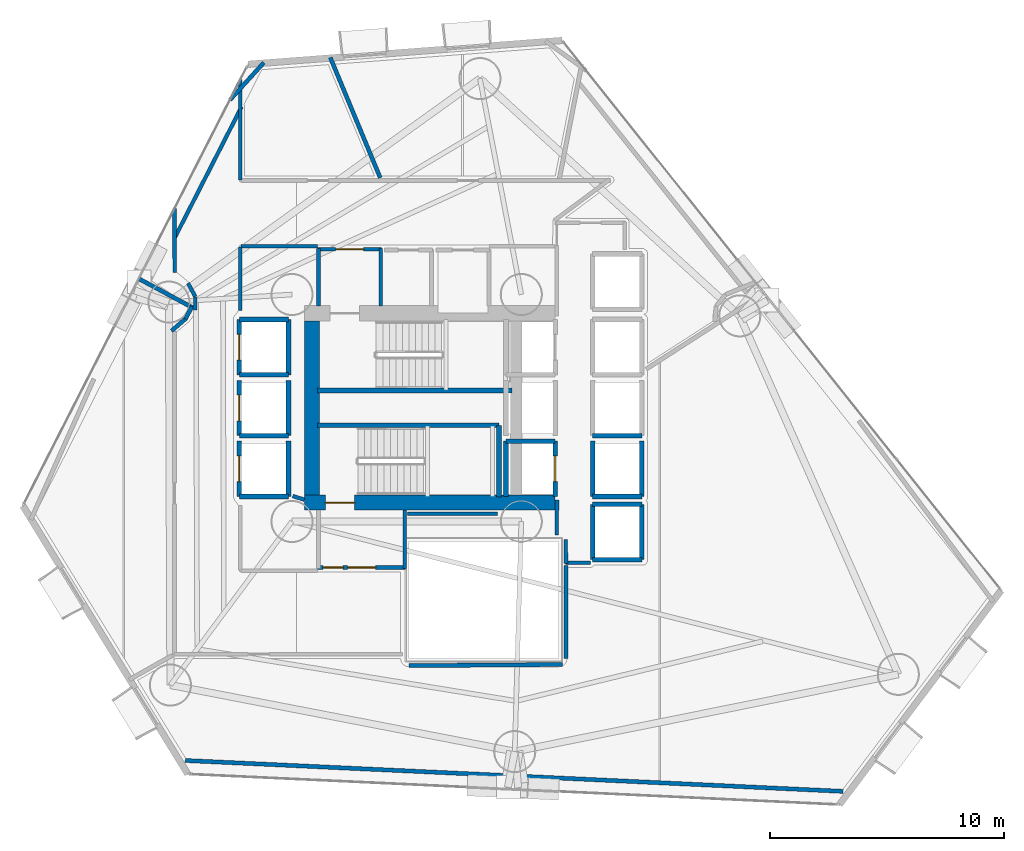
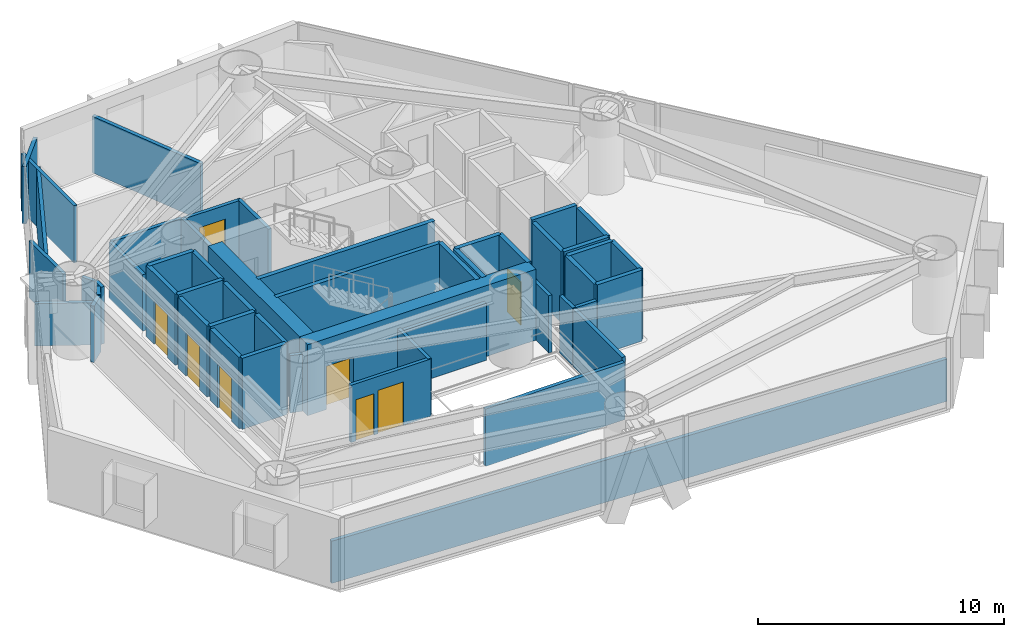
# One storey, part 17 of 23: 51 walls, 8 doors, 8 openings.
"""IFC4 building model written with IfcOpenShell, lengths in metres."""

from ifc_helpers import new_model, si_unit, direction, frame, frame_2d, origin, place, context, subcontext, project, spatial, rectangle, extrude, material, layer, layer_set, type_object, element, fill, save


model = new_model("IFC4")

# Units and contexts
model_context = context("Model", 3, precision=1e-05, world=origin(), true_north=direction((0.0, 1.0)))
body_context = subcontext(model_context, "Body", "Model", "MODEL_VIEW")
ifc_project = project(units=[si_unit("LENGTHUNIT", "METRE"), si_unit("AREAUNIT", "SQUARE_METRE"), si_unit("VOLUMEUNIT", "CUBIC_METRE"), si_unit("PLANEANGLEUNIT", "RADIAN"), si_unit("MASSUNIT", "GRAM", prefix="KILO")], contexts=[model_context])

# Site, building, storey
site_placement = place(None, origin())
site = spatial("IfcSite", under=ifc_project, at=site_placement, CompositionType="ELEMENT")
building_placement = place(site_placement, origin())
building = spatial("IfcBuilding", under=site, at=building_placement, Name="Qianvela Tower", CompositionType="ELEMENT")
storey_placement = place(building_placement, frame((0.0, 0.0, 36.800048828125)))
storey = spatial("IfcBuildingStorey", under=building, at=storey_placement, Name="L08", CompositionType="ELEMENT", Elevation=36.800048828125)

# Wall, opening, door
ifc_material_1 = material(Name="Concrete C60", Category="concrete")
ifc_layer_1 = layer(ifc_material_1, 0.64990234375)
ifc_layer_set_1 = layer_set([ifc_layer_1], Name="Concrete C60")
wall_type_1 = type_object("IfcWallType", Name="WT-CORE-650", PredefinedType="SHEAR", material=ifc_layer_set_1)
wall_1_placement = place(storey_placement, frame((29.1298828125, 24.655029296875, 0.0), z_axis=(0.0, 0.0, 1.0), x_axis=(1.0, 0.0, 0.0)))
wall_1 = element("IfcWall", 1, at=wall_1_placement, inside=storey, type_object=wall_type_1, Name="L08 South Core Shear Wall", PredefinedType="SHEAR", context=body_context, shape_type="SweptSolid", body=[
    extrude(rectangle(XDim=10.72021484375, YDim=0.64990234375, at=frame_2d((5.360107421875, 0.0))), origin(), (0.0, 0.0, 1.0), 3.52001953125),
])
opening_1_placement = place(wall_1_placement, frame((0.89501953125, 0.0, 0.0)))
opening_1 = element("IfcOpeningElement", 2, at=opening_1_placement, cuts=wall_1, Name="Opening D-ST1", PredefinedType="OPENING", context=body_context, shape_type="SweptSolid", body=[
    extrude(rectangle(XDim=1.25, YDim=2.14990234375, at=frame_2d((0.625, 1.074951171875))), frame((0.0, 0.3349609375, 0.0), z_axis=(0.0, -1.0, 0.0), x_axis=(1.0, 0.0, 0.0)), (0.0, 0.0, 1.0), 0.669921875),
])
ifc_material_2 = material(Name="Galvanised Fire Steel Q355B", Category="steel")
door_type_1 = type_object("IfcDoorType", Name="DT-STAIR-FD90", OperationType="NOTDEFINED", PredefinedType="DOOR", material=ifc_material_2)
door_1_placement = place(opening_1_placement, origin())
door_1 = element("IfcDoor", 3, at=door_1_placement, inside=storey, type_object=door_type_1, Name="L08 Stair ST-2 Exit Door", OperationType="SINGLE_SWING_RIGHT", OverallHeight=2.14990234375, OverallWidth=1.25, PredefinedType="DOOR", context=body_context, shape_type="SweptSolid", body=[
    extrude(rectangle(XDim=1.25, YDim=2.14990234375, at=frame_2d((0.625, 1.074951171875))), frame((0.0, 0.02490234375, 0.0), z_axis=(0.0, -1.0, 0.0), x_axis=(1.0, 0.0, 0.0)), (0.0, 0.0, 1.0), 0.050048828125),
])
fill(opening_1, door_1)

# Walls
wall_2_placement = place(storey_placement, frame((29.455078125, 24.97998046875, 0.0), z_axis=(0.0, 0.0, 1.0), x_axis=(0.0, 1.0, 0.0)))
element("IfcWall", 4, at=wall_2_placement, inside=storey, type_object=wall_type_1, Name="L08 West Core Shear Wall", PredefinedType="SHEAR", context=body_context, shape_type="SweptSolid", body=[
    extrude(rectangle(XDim=7.43994140625, YDim=0.64990234375, at=frame_2d((3.719970703125, 0.0))), origin(), (0.0, 0.0, 1.0), 3.52001953125),
])
ifc_material_3 = material(Name="Fire-Rated Gypsum and Concrete Block", Category="concrete")
ifc_layer_2 = layer(ifc_material_3, 0.159912109375)
ifc_layer_set_2 = layer_set([ifc_layer_2], Name="Fire-Rated Gypsum and Concrete Block")
wall_type_2 = type_object("IfcWallType", Name="WT-CORR-160", PredefinedType="PARTITIONING", material=ifc_layer_set_2)
wall_3_placement = place(storey_placement, frame((29.73095703125, 33.05810546875, 0.0), z_axis=(0.0, 0.0, 1.0), x_axis=(0.0, 1.0, 0.0)))
element("IfcWall", 5, at=wall_3_placement, inside=storey, type_object=wall_type_2, Name="L08 Partition 2", PredefinedType="PARTITIONING", context=body_context, shape_type="SweptSolid", body=[
    extrude(rectangle(XDim=2.4619140625, YDim=0.159912109375, at=frame_2d((1.23095703125, 0.0))), origin(), (0.0, 0.0, 1.0), 2.83984375),
])

# Wall, opening, door
wall_4_placement = place(storey_placement, frame((29.699951171875, 35.489013671875, 0.0), z_axis=(0.0, 0.0, 1.0), x_axis=(1.0, 0.0, 0.0)))
wall_4 = element("IfcWall", 6, at=wall_4_placement, inside=storey, type_object=wall_type_2, Name="L08 Partition 3", PredefinedType="PARTITIONING", context=body_context, shape_type="SweptSolid", body=[
    extrude(rectangle(XDim=2.719970703125, YDim=0.159912109375, at=frame_2d((1.35986328125, 0.0))), origin(), (0.0, 0.0, 1.0), 2.83984375),
])
opening_2_placement = place(wall_4_placement, frame((0.760009765625, 0.0, 0.0)))
opening_2 = element("IfcOpeningElement", 7, at=opening_2_placement, cuts=wall_4, Name="Opening D-LB1", PredefinedType="OPENING", context=body_context, shape_type="SweptSolid", body=[
    extrude(rectangle(XDim=1.199951171875, YDim=2.14990234375, at=frame_2d((0.60009765625, 1.074951171875))), frame((0.0, 0.08984375, 0.0), z_axis=(0.0, -1.0, 0.0), x_axis=(1.0, 0.0, 0.0)), (0.0, 0.0, 1.0), 0.179931640625),
])
ifc_material_4 = material(Name="Glazed Fire-Rated Steel Frame", Category="steel")
door_type_2 = type_object("IfcDoorType", Name="DT-LOBBY-FD90", OperationType="NOTDEFINED", PredefinedType="DOOR", material=ifc_material_4)
door_2_placement = place(opening_2_placement, origin())
door_2 = element("IfcDoor", 8, at=door_2_placement, inside=storey, type_object=door_type_2, Name="L08 Door L08 Firefighting Lobby North to L08 Floor Corridor", OperationType="SINGLE_SWING_RIGHT", OverallHeight=2.14990234375, OverallWidth=1.199951171875, PredefinedType="DOOR", context=body_context, shape_type="SweptSolid", body=[
    extrude(rectangle(XDim=1.199951171875, YDim=2.14990234375, at=frame_2d((0.60009765625, 1.074951171875))), frame((0.0, 0.02490234375, 0.0), z_axis=(0.0, -1.0, 0.0), x_axis=(1.0, 0.0, 0.0)), (0.0, 0.0, 1.0), 0.050048828125),
])
fill(opening_2, door_2)

# Wall
wall_5_placement = place(storey_placement, frame((32.388916015625, 35.52001953125, 0.0), z_axis=(0.0, 0.0, 1.0), x_axis=(0.0, -1.0, 0.0)))
element("IfcWall", 9, at=wall_5_placement, inside=storey, type_object=wall_type_2, Name="L08 Partition 4", PredefinedType="PARTITIONING", context=body_context, shape_type="SweptSolid", body=[
    extrude(rectangle(XDim=2.4619140625, YDim=0.159912109375, at=frame_2d((1.23095703125, 0.0))), origin(), (0.0, 0.0, 1.0), 2.83984375),
])

# Wall, openings, doors
wall_6_placement = place(storey_placement, frame((33.449951171875, 21.881103515625, 0.0), z_axis=(0.0, 0.0, 1.0), x_axis=(-1.0, 0.0, 0.0)))
wall_6 = element("IfcWall", 10, at=wall_6_placement, inside=storey, type_object=wall_type_2, Name="L08 Partition 5", PredefinedType="PARTITIONING", context=body_context, shape_type="SweptSolid", body=[
    extrude(rectangle(XDim=3.75, YDim=0.159912109375, at=frame_2d((1.875, 0.0))), origin(), (0.0, 0.0, 1.0), 2.83984375),
])
opening_3_placement = place(wall_6_placement, frame((1.27490234375, 0.0, 0.0)))
opening_3 = element("IfcOpeningElement", 11, at=opening_3_placement, cuts=wall_6, Name="Opening D-LB1", PredefinedType="OPENING", context=body_context, shape_type="SweptSolid", body=[
    extrude(rectangle(XDim=1.199951171875, YDim=2.14990234375, at=frame_2d((0.60009765625, 1.074951171875))), frame((0.0, 0.08984375, 0.0), z_axis=(0.0, -1.0, 0.0), x_axis=(1.0, 0.0, 0.0)), (0.0, 0.0, 1.0), 0.179931640625),
])
opening_4_placement = place(wall_6_placement, frame((2.659912109375, 0.0, 0.0)))
opening_4 = element("IfcOpeningElement", 12, at=opening_4_placement, cuts=wall_6, Name="Opening D-LB2", PredefinedType="OPENING", context=body_context, shape_type="SweptSolid", body=[
    extrude(rectangle(XDim=0.860107421875, YDim=2.050048828125, at=frame_2d((0.43017578125, 1.02490234375))), frame((0.0, 0.08984375, 0.0), z_axis=(0.0, -1.0, 0.0), x_axis=(1.0, 0.0, 0.0)), (0.0, 0.0, 1.0), 0.179931640625),
])
door_3_placement = place(opening_3_placement, origin())
door_3 = element("IfcDoor", 13, at=door_3_placement, inside=storey, type_object=door_type_2, Name="L08 Door L08 Firefighting Lobby South to L08 Floor Corridor", OperationType="SINGLE_SWING_LEFT", OverallHeight=2.14990234375, OverallWidth=1.199951171875, PredefinedType="DOOR", context=body_context, shape_type="SweptSolid", body=[
    extrude(rectangle(XDim=1.199951171875, YDim=2.14990234375, at=frame_2d((0.60009765625, 1.074951171875))), frame((0.0, 0.02490234375, 0.0), z_axis=(0.0, -1.0, 0.0), x_axis=(1.0, 0.0, 0.0)), (0.0, 0.0, 1.0), 0.050048828125),
])
fill(opening_3, door_3)
ifc_material_5 = material(Name="Insulated Steel Fire Door Q355B", Category="steel")
door_type_3 = type_object("IfcDoorType", Name="DT-LOBBY-FD90-860", OperationType="NOTDEFINED", PredefinedType="DOOR", material=ifc_material_5)
door_4_placement = place(opening_4_placement, origin())
door_4 = element("IfcDoor", 14, at=door_4_placement, inside=storey, type_object=door_type_3, Name="L08 Door L08 Firefighting Lobby South to L08 Floor Corridor", OperationType="SINGLE_SWING_LEFT", OverallHeight=2.050048828125, OverallWidth=0.860107421875, PredefinedType="DOOR", context=body_context, shape_type="SweptSolid", body=[
    extrude(rectangle(XDim=0.860107421875, YDim=2.050048828125, at=frame_2d((0.43017578125, 1.02490234375))), frame((0.0, 0.02490234375, 0.0), z_axis=(0.0, -1.0, 0.0), x_axis=(1.0, 0.0, 0.0)), (0.0, 0.0, 1.0), 0.050048828125),
])
fill(opening_4, door_4)

# Walls
wall_7_placement = place(storey_placement, frame((33.4189453125, 24.342041015625, 0.0), z_axis=(0.0, 0.0, 1.0), x_axis=(0.0, -1.0, 0.0)))
element("IfcWall", 15, at=wall_7_placement, inside=storey, type_object=wall_type_2, Name="L08 Partition 8", PredefinedType="PARTITIONING", context=body_context, shape_type="SweptSolid", body=[
    extrude(rectangle(XDim=2.491943359375, YDim=0.159912109375, at=frame_2d((1.24609375, 0.0))), origin(), (0.0, 0.0, 1.0), 2.83984375),
])
wall_8_placement = place(storey_placement, frame((41.360107421875, 22.0810546875, 0.0), z_axis=(0.0, 0.0, 1.0), x_axis=(-1.0, 0.0, 0.0)))
element("IfcWall", 16, at=wall_8_placement, inside=storey, type_object=wall_type_2, Name="L08 Partition 15", PredefinedType="PARTITIONING", context=body_context, shape_type="SweptSolid", body=[
    extrude(rectangle(XDim=1.080078125, YDim=0.159912109375, at=frame_2d((0.5400390625, 0.0))), origin(), (0.0, 0.0, 1.0), 2.83984375),
])
wall_9_placement = place(storey_placement, frame((40.31103515625, 22.05029296875, 0.0), z_axis=(0.0, 0.0, 1.0), x_axis=(-0.011836292006, 0.999929948642, 0.0)))
element("IfcWall", 17, at=wall_9_placement, inside=storey, type_object=wall_type_2, Name="L08 Partition 16", PredefinedType="PARTITIONING", context=body_context, shape_type="SweptSolid", body=[
    extrude(rectangle(XDim=1.03125, YDim=0.159912109375, at=frame_2d((0.515625, 0.0))), origin(), (0.0, 0.0, 1.0), 2.83984375),
])
wall_10_placement = place(storey_placement, frame((39.910888671875, 23.27978515625, 0.0), z_axis=(0.0, 0.0, 1.0), x_axis=(0.009397771291, 0.999955839972, 0.0)))
element("IfcWall", 18, at=wall_10_placement, inside=storey, type_object=wall_type_2, Name="L08 Partition 17", PredefinedType="PARTITIONING", context=body_context, shape_type="SweptSolid", body=[
    extrude(rectangle(XDim=1.480712890625, YDim=0.159912109375, at=frame_2d((0.740234375, 0.0))), origin(), (0.0, 0.0, 1.0), 2.83984375),
])
wall_11_placement = place(storey_placement, frame((29.1298828125, 24.781982421875, 0.0), z_axis=(0.0, 0.0, 1.0), x_axis=(-0.955000482512, 0.296604245422, 0.0)))
element("IfcWall", 19, at=wall_11_placement, inside=storey, type_object=wall_type_2, Name="L08 Partition 31", PredefinedType="PARTITIONING", context=body_context, shape_type="SweptSolid", body=[
    extrude(rectangle(XDim=0.5244140625, YDim=0.159912109375, at=frame_2d((0.26220703125, 0.0))), origin(), (0.0, 0.0, 1.0), 2.83984375),
])
wall_12_placement = place(storey_placement, frame((37.388671875, 24.180908203125, 0.0), z_axis=(0.0, 0.0, 1.0), x_axis=(-1.0, 0.0, 0.0)))
element("IfcWall", 20, at=wall_12_placement, inside=storey, type_object=wall_type_2, Name="L08 Partition 37", PredefinedType="PARTITIONING", context=body_context, shape_type="SweptSolid", body=[
    extrude(rectangle(XDim=3.858642578125, YDim=0.159912109375, at=frame_2d((1.92919921875, 0.0))), origin(), (0.0, 0.0, 1.0), 2.83984375),
])
wall_13_placement = place(storey_placement, frame((24.4638671875, 33.461181640625, 0.0), z_axis=(0.0, 0.0, 1.0), x_axis=(-0.4715232649, 0.881853622014, 0.0)))
element("IfcWall", 21, at=wall_13_placement, inside=storey, type_object=wall_type_2, Name="L08 Partition 38", PredefinedType="PARTITIONING", context=body_context, shape_type="SweptSolid", body=[
    extrude(rectangle(XDim=0.650390625, YDim=0.159912109375, at=frame_2d((0.3251953125, 0.0))), origin(), (0.0, 0.0, 1.0), 2.7978515625),
])
wall_14_placement = place(storey_placement, frame((23.586669921875, 34.491455078125, 0.0), z_axis=(0.0, 0.0, 1.0), x_axis=(-0.003825594781, 0.999992682386, 0.0)))
element("IfcWall", 22, at=wall_14_placement, inside=storey, type_object=wall_type_2, Name="L08 Partition 40", PredefinedType="PARTITIONING", context=body_context, shape_type="SweptSolid", body=[
    extrude(rectangle(XDim=2.744140625, YDim=0.159912109375, at=frame_2d((1.3720703125, 0.0))), origin(), (0.0, 0.0, 1.0), 2.83984375),
])
wall_15_placement = place(storey_placement, frame((23.57763671875, 35.951171875, 0.0), z_axis=(0.0, 0.0, 1.0), x_axis=(0.454592450263, 0.890699558866, 0.0)))
element("IfcWall", 23, at=wall_15_placement, inside=storey, type_object=wall_type_2, Name="L08 Partition 41", PredefinedType="PARTITIONING", context=body_context, shape_type="SweptSolid", body=[
    extrude(rectangle(XDim=6.31298828125, YDim=0.159912109375, at=frame_2d((3.156494140625, 0.0))), origin(), (0.0, 0.0, 1.0), 2.83984375),
])
wall_16_placement = place(storey_placement, frame((26.388916015625, 42.746337890625, 0.0), z_axis=(0.0, 0.0, 1.0), x_axis=(0.0, -1.0, 0.0)))
element("IfcWall", 24, at=wall_16_placement, inside=storey, type_object=wall_type_2, Name="L08 Partition 42", PredefinedType="PARTITIONING", context=body_context, shape_type="SweptSolid", body=[
    extrude(rectangle(XDim=4.29638671875, YDim=0.159912109375, at=frame_2d((2.148193359375, 0.0))), origin(), (0.0, 0.0, 1.0), 2.83984375),
])
wall_17_placement = place(storey_placement, frame((29.699951171875, 35.611083984375, 0.0), z_axis=(0.0, 0.0, 1.0), x_axis=(-1.0, 0.0, 0.0)))
element("IfcWall", 25, at=wall_17_placement, inside=storey, type_object=wall_type_2, Name="L08 Partition 46 seg 4", PredefinedType="PARTITIONING", context=body_context, shape_type="SweptSolid", body=[
    extrude(rectangle(XDim=3.280029296875, YDim=0.159912109375, at=frame_2d((1.64013671875, 0.0))), origin(), (0.0, 0.0, 1.0), 2.7978515625),
])
wall_18_placement = place(storey_placement, frame((26.388916015625, 35.580078125, 0.0), z_axis=(0.0, 0.0, 1.0), x_axis=(0.0, -1.0, 0.0)))
element("IfcWall", 26, at=wall_18_placement, inside=storey, type_object=wall_type_2, Name="L08 Partition 47", PredefinedType="PARTITIONING", context=body_context, shape_type="SweptSolid", body=[
    extrude(rectangle(XDim=2.71044921875, YDim=0.159912109375, at=frame_2d((1.355224609375, 0.0))), origin(), (0.0, 0.0, 1.0), 2.7978515625),
])
wall_19_placement = place(storey_placement, frame((24.45654296875, 32.8974609375, 0.0), z_axis=(0.0, 0.0, 1.0), x_axis=(0.020031598679, 0.999799347396, 0.0)))
element("IfcWall", 27, at=wall_19_placement, inside=storey, type_object=wall_type_2, Name="L08 Partition 54", PredefinedType="PARTITIONING", context=body_context, shape_type="SweptSolid", body=[
    extrude(rectangle(XDim=0.54833984375, YDim=0.159912109375, at=frame_2d((0.274169921875, 0.0))), origin(), (0.0, 0.0, 1.0), 2.83984375),
])
ifc_material_6 = material(Name="Moisture-Resistant Acoustic Plumbing Wall")
ifc_layer_3 = layer(ifc_material_6, 0.175048828125)
ifc_layer_set_3 = layer_set([ifc_layer_3], Name="Moisture-Resistant Acoustic Plumbing Wall")
wall_type_3 = type_object("IfcWallType", Name="WT-PLUMB-175", PredefinedType="PLUMBINGWALL", material=ifc_layer_set_3)
wall_20_placement = place(storey_placement, frame((22.033203125, 34.236083984375, 0.0), z_axis=(0.0, 0.0, 1.0), x_axis=(0.880677298997, -0.473716682239, 0.0)))
element("IfcWall", 28, at=wall_20_placement, inside=storey, type_object=wall_type_3, Name="L08 Partition 55", PredefinedType="PLUMBINGWALL", context=body_context, shape_type="SweptSolid", body=[
    extrude(rectangle(XDim=2.622314453125, YDim=0.175048828125, at=frame_2d((1.31103515625, 0.0))), origin(), (0.0, 0.0, 1.0), 2.094970703125),
])
wall_21_placement = place(storey_placement, frame((24.329833984375, 33.035888671875, 0.0), z_axis=(0.0, 0.0, 1.0), x_axis=(-0.473395741492, -0.880849857772, 0.0)))
element("IfcWall", 29, at=wall_21_placement, inside=storey, type_object=wall_type_3, Name="L08 Partition 56", PredefinedType="PLUMBINGWALL", context=body_context, shape_type="SweptSolid", body=[
    extrude(rectangle(XDim=0.599853515625, YDim=0.175048828125, at=frame_2d((0.2998046875, 0.0))), origin(), (0.0, 0.0, 1.0), 2.83984375),
])
wall_22_placement = place(storey_placement, frame((24.052734375, 32.516357421875, 0.0), z_axis=(0.0, 0.0, 1.0), x_axis=(-0.753993768579, -0.656881569953, 0.0)))
element("IfcWall", 30, at=wall_22_placement, inside=storey, type_object=wall_type_3, Name="L08 Partition 57", PredefinedType="PLUMBINGWALL", context=body_context, shape_type="SweptSolid", body=[
    extrude(rectangle(XDim=0.799560546875, YDim=0.175048828125, at=frame_2d((0.39990234375, 0.0))), origin(), (0.0, 0.0, 1.0), 2.7978515625),
])
wall_23_placement = place(storey_placement, frame((33.60009765625, 17.68896484375, 0.0), z_axis=(0.0, 0.0, 1.0), x_axis=(0.999974170588, 0.007187360901, 0.0)))
element("IfcWall", 31, at=wall_23_placement, inside=storey, type_object=wall_type_3, Name="L08 Partition 63", PredefinedType="PLUMBINGWALL", context=body_context, shape_type="SweptSolid", body=[
    extrude(rectangle(XDim=6.555908203125, YDim=0.175048828125, at=frame_2d((3.27783203125, 0.0))), origin(), (0.0, 0.0, 1.0), 2.83984375),
])
wall_24_placement = place(storey_placement, frame((40.31103515625, 18.0, 0.0), z_axis=(0.0, 0.0, 1.0), x_axis=(0.0, 1.0, 0.0)))
element("IfcWall", 32, at=wall_24_placement, inside=storey, type_object=wall_type_3, Name="L08 Partition 64 seg 1", PredefinedType="PLUMBINGWALL", context=body_context, shape_type="SweptSolid", body=[
    extrude(rectangle(XDim=3.969970703125, YDim=0.175048828125, at=frame_2d((1.98486328125, 0.0))), origin(), (0.0, 0.0, 1.0), 2.83984375),
])
wall_25_placement = place(storey_placement, frame((52.156494140625, 12.315673828125, 0.0), z_axis=(0.0, 0.0, 1.0), x_axis=(-0.998900535897, 0.046879839856, 0.0)))
element("IfcWall", 33, at=wall_25_placement, inside=storey, type_object=wall_type_3, Name="L08 Partition 73", PredefinedType="PLUMBINGWALL", context=body_context, shape_type="SweptSolid", body=[
    extrude(rectangle(XDim=28.148193359375, YDim=0.175048828125, at=frame_2d((14.07421875, 0.0))), origin(), (0.0, 0.0, 1.0), 2.094970703125),
])
wall_26_placement = place(storey_placement, frame((32.3701171875, 38.5419921875, 0.0), z_axis=(0.0, 0.0, 1.0), x_axis=(-0.383564864304, 0.923513938645, 0.0)))
element("IfcWall", 34, at=wall_26_placement, inside=storey, type_object=wall_type_3, Name="L08 Partition 95", PredefinedType="PLUMBINGWALL", context=body_context, shape_type="SweptSolid", body=[
    extrude(rectangle(XDim=5.5625, YDim=0.175048828125, at=frame_2d((2.78125, 0.0))), origin(), (0.0, 0.0, 1.0), 2.7978515625),
])
wall_27_placement = place(storey_placement, frame((25.95166015625, 41.869384765625, 0.0), z_axis=(0.0, 0.0, 1.0), x_axis=(0.672672793996, 0.739940073396, 0.0)))
element("IfcWall", 35, at=wall_27_placement, inside=storey, type_object=wall_type_3, Name="L08 Partition 96", PredefinedType="PLUMBINGWALL", context=body_context, shape_type="SweptSolid", body=[
    extrude(rectangle(XDim=2.15234375, YDim=0.175048828125, at=frame_2d((1.076171875, 0.0))), origin(), (0.0, 0.0, 1.0), 2.83984375),
])
ifc_material_7 = material(Name="Concrete C50", Category="concrete")
ifc_layer_4 = layer(ifc_material_7, 0.199951171875)
ifc_layer_set_4 = layer_set([ifc_layer_4], Name="Concrete C50")
wall_type_4 = type_object("IfcWallType", Name="WT-SHAFT-200", PredefinedType="SOLIDWALL", material=ifc_layer_set_4)
wall_28_placement = place(storey_placement, frame((29.699951171875, 29.449951171875, 0.0), z_axis=(0.0, 0.0, 1.0), x_axis=(1.0, 0.0, 0.0)))
element("IfcWall", 36, at=wall_28_placement, inside=storey, type_object=wall_type_4, Name="L08 Stair ST-1 South Wall", PredefinedType="SOLIDWALL", context=body_context, shape_type="SweptSolid", body=[
    extrude(rectangle(XDim=8.300048828125, YDim=0.199951171875, at=frame_2d((4.14990234375, 0.0))), origin(), (0.0, 0.0, 1.0), 3.52001953125),
])
wall_29_placement = place(storey_placement, frame((29.699951171875, 27.9599609375, 0.0), z_axis=(0.0, 0.0, 1.0), x_axis=(1.0, 0.0, 0.0)))
element("IfcWall", 37, at=wall_29_placement, inside=storey, type_object=wall_type_4, Name="L08 Stair ST-2 North Wall", PredefinedType="SOLIDWALL", context=body_context, shape_type="SweptSolid", body=[
    extrude(rectangle(XDim=7.75, YDim=0.199951171875, at=frame_2d((3.875, 0.0))), origin(), (0.0, 0.0, 1.0), 3.52001953125),
])
wall_30_placement = place(storey_placement, frame((37.449951171875, 24.89990234375, 0.0), z_axis=(0.0, 0.0, 1.0), x_axis=(0.0, 1.0, 0.0)))
element("IfcWall", 38, at=wall_30_placement, inside=storey, type_object=wall_type_4, Name="L08 Stair ST-2 East Wall", PredefinedType="SOLIDWALL", context=body_context, shape_type="SweptSolid", body=[
    extrude(rectangle(XDim=3.06005859375, YDim=0.199951171875, at=frame_2d((1.530029296875, 0.0))), origin(), (0.0, 0.0, 1.0), 3.52001953125),
])

# Wall, opening, door
wall_31_placement = place(storey_placement, frame((39.85009765625, 24.919921875, 0.0), z_axis=(0.0, 0.0, 1.0), x_axis=(0.0, 1.0, 0.0)))
wall_31 = element("IfcWall", 39, at=wall_31_placement, inside=storey, type_object=wall_type_4, Name="L08 Lift FL-2 E Shaft Wall", PredefinedType="SOLIDWALL", context=body_context, shape_type="SweptSolid", body=[
    extrude(rectangle(XDim=2.360107421875, YDim=0.199951171875, at=frame_2d((1.18017578125, 0.0))), origin(), (0.0, 0.0, 1.0), 3.52001953125),
])
opening_5_placement = place(wall_31_placement, frame((0.6298828125, 0.0, 0.0)))
opening_5 = element("IfcOpeningElement", 40, at=opening_5_placement, cuts=wall_31, Name="Opening LD-01", PredefinedType="OPENING", context=body_context, shape_type="SweptSolid", body=[
    extrude(rectangle(XDim=1.10009765625, YDim=2.14990234375, at=frame_2d((0.550048828125, 1.074951171875))), frame((0.0, 0.10986328125, 0.0), z_axis=(0.0, -1.0, 0.0), x_axis=(1.0, 0.0, 0.0)), (0.0, 0.0, 1.0), 0.219970703125),
])
ifc_material_8 = material(Name="Brushed Stainless Steel Lift Landing Door", Category="steel")
door_type_4 = type_object("IfcDoorType", Name="DT-LIFT-SLIDE-1100", OperationType="SLIDING_TO_LEFT", PredefinedType="DOOR", material=ifc_material_8)
door_5_placement = place(opening_5_placement, origin())
door_5 = element("IfcDoor", 41, at=door_5_placement, inside=storey, type_object=door_type_4, Name="L08 Lift FL-2 Sliding Landing Door", OperationType="SLIDING_TO_LEFT", OverallHeight=2.14990234375, OverallWidth=1.10009765625, PredefinedType="DOOR", context=body_context, shape_type="SweptSolid", body=[
    extrude(rectangle(XDim=1.10009765625, YDim=2.14990234375, at=frame_2d((0.550048828125, 1.074951171875))), frame((0.0, 0.02490234375, 0.0), z_axis=(0.0, -1.0, 0.0), x_axis=(1.0, 0.0, 0.0)), (0.0, 0.0, 1.0), 0.050048828125),
])
fill(opening_5, door_5)

# Walls
wall_32_placement = place(storey_placement, frame((37.75, 24.919921875, 0.0), z_axis=(0.0, 0.0, 1.0), x_axis=(0.0, 1.0, 0.0)))
element("IfcWall", 42, at=wall_32_placement, inside=storey, type_object=wall_type_4, Name="L08 Lift FL-2 W Shaft Wall", PredefinedType="SOLIDWALL", context=body_context, shape_type="SweptSolid", body=[
    extrude(rectangle(XDim=2.360107421875, YDim=0.199951171875, at=frame_2d((1.18017578125, 0.0))), origin(), (0.0, 0.0, 1.0), 3.52001953125),
])
wall_33_placement = place(storey_placement, frame((37.75, 27.280029296875, 0.0), z_axis=(0.0, 0.0, 1.0), x_axis=(1.0, 0.0, 0.0)))
element("IfcWall", 43, at=wall_33_placement, inside=storey, type_object=wall_type_4, Name="L08 Lift FL-2 N Shaft Wall", PredefinedType="SOLIDWALL", context=body_context, shape_type="SweptSolid", body=[
    extrude(rectangle(XDim=2.10009765625, YDim=0.199951171875, at=frame_2d((1.050048828125, 0.0))), origin(), (0.0, 0.0, 1.0), 3.52001953125),
])
wall_34_placement = place(storey_placement, frame((28.449951171875, 30.1201171875, 0.0), z_axis=(0.0, 0.0, 1.0), x_axis=(0.0, 1.0, 0.0)))
element("IfcWall", 44, at=wall_34_placement, inside=storey, type_object=wall_type_4, Name="L08 Lift PL-L1 E Shaft Wall", PredefinedType="SOLIDWALL", context=body_context, shape_type="SweptSolid", body=[
    extrude(rectangle(XDim=2.35986328125, YDim=0.199951171875, at=frame_2d((1.179931640625, 0.0))), origin(), (0.0, 0.0, 1.0), 3.52001953125),
])

# Wall, opening, door
wall_35_placement = place(storey_placement, frame((26.35009765625, 30.1201171875, 0.0), z_axis=(0.0, 0.0, 1.0), x_axis=(0.0, 1.0, 0.0)))
wall_35 = element("IfcWall", 45, at=wall_35_placement, inside=storey, type_object=wall_type_4, Name="L08 Lift PL-L1 W Shaft Wall", PredefinedType="SOLIDWALL", context=body_context, shape_type="SweptSolid", body=[
    extrude(rectangle(XDim=2.35986328125, YDim=0.199951171875, at=frame_2d((1.179931640625, 0.0))), origin(), (0.0, 0.0, 1.0), 3.52001953125),
])
opening_6_placement = place(wall_35_placement, frame((0.6298828125, 0.0, 0.0)))
opening_6 = element("IfcOpeningElement", 46, at=opening_6_placement, cuts=wall_35, Name="Opening LD-01", PredefinedType="OPENING", context=body_context, shape_type="SweptSolid", body=[
    extrude(rectangle(XDim=1.10009765625, YDim=2.14990234375, at=frame_2d((0.550048828125, 1.074951171875))), frame((0.0, 0.10986328125, 0.0), z_axis=(0.0, -1.0, 0.0), x_axis=(1.0, 0.0, 0.0)), (0.0, 0.0, 1.0), 0.219970703125),
])
door_6_placement = place(opening_6_placement, origin())
door_6 = element("IfcDoor", 47, at=door_6_placement, inside=storey, type_object=door_type_4, Name="L08 Lift PL-L1 Sliding Landing Door", OperationType="SLIDING_TO_LEFT", OverallHeight=2.14990234375, OverallWidth=1.10009765625, PredefinedType="DOOR", context=body_context, shape_type="SweptSolid", body=[
    extrude(rectangle(XDim=1.10009765625, YDim=2.14990234375, at=frame_2d((0.550048828125, 1.074951171875))), frame((0.0, 0.02490234375, 0.0), z_axis=(0.0, -1.0, 0.0), x_axis=(1.0, 0.0, 0.0)), (0.0, 0.0, 1.0), 0.050048828125),
])
fill(opening_6, door_6)

# Walls
for number, where, z_axis, x_axis, name in (
    (48, (26.35009765625, 32.47998046875, 0.0), (0.0, 0.0, 1.0), (1.0, 0.0, 0.0), "L08 Lift PL-L1 N Shaft Wall"),
    (49, (26.35009765625, 30.1201171875, 0.0), (0.0, 0.0, 1.0), (1.0, 0.0, 0.0), "L08 Lift PL-L1 S Shaft Wall"),
):
    element("IfcWall", number, at=place(storey_placement, frame(where, z_axis=z_axis, x_axis=x_axis)), inside=storey, type_object=wall_type_4, Name=name, PredefinedType="SOLIDWALL", context=body_context, shape_type="SweptSolid", body=[
        extrude(rectangle(XDim=2.099853515625, YDim=0.199951171875, at=frame_2d((1.0498046875, 0.0))), origin(), (0.0, 0.0, 1.0), 3.52001953125),
    ])
wall_36_placement = place(storey_placement, frame((28.449951171875, 27.52001953125, 0.0), z_axis=(0.0, 0.0, 1.0), x_axis=(0.0, 1.0, 0.0)))
element("IfcWall", 50, at=wall_36_placement, inside=storey, type_object=wall_type_4, Name="L08 Lift PL-L2 E Shaft Wall", PredefinedType="SOLIDWALL", context=body_context, shape_type="SweptSolid", body=[
    extrude(rectangle(XDim=2.35986328125, YDim=0.199951171875, at=frame_2d((1.179931640625, 0.0))), origin(), (0.0, 0.0, 1.0), 3.52001953125),
])

# Wall, opening, door
wall_37_placement = place(storey_placement, frame((26.35009765625, 27.52001953125, 0.0), z_axis=(0.0, 0.0, 1.0), x_axis=(0.0, 1.0, 0.0)))
wall_37 = element("IfcWall", 51, at=wall_37_placement, inside=storey, type_object=wall_type_4, Name="L08 Lift PL-L2 W Shaft Wall", PredefinedType="SOLIDWALL", context=body_context, shape_type="SweptSolid", body=[
    extrude(rectangle(XDim=2.35986328125, YDim=0.199951171875, at=frame_2d((1.179931640625, 0.0))), origin(), (0.0, 0.0, 1.0), 3.52001953125),
])
opening_7_placement = place(wall_37_placement, frame((0.6298828125, 0.0, 0.0)))
opening_7 = element("IfcOpeningElement", 52, at=opening_7_placement, cuts=wall_37, Name="Opening LD-01", PredefinedType="OPENING", context=body_context, shape_type="SweptSolid", body=[
    extrude(rectangle(XDim=1.10009765625, YDim=2.14990234375, at=frame_2d((0.550048828125, 1.074951171875))), frame((0.0, 0.10986328125, 0.0), z_axis=(0.0, -1.0, 0.0), x_axis=(1.0, 0.0, 0.0)), (0.0, 0.0, 1.0), 0.219970703125),
])
door_7_placement = place(opening_7_placement, origin())
door_7 = element("IfcDoor", 53, at=door_7_placement, inside=storey, type_object=door_type_4, Name="L08 Lift PL-L2 Sliding Landing Door", OperationType="SLIDING_TO_LEFT", OverallHeight=2.14990234375, OverallWidth=1.10009765625, PredefinedType="DOOR", context=body_context, shape_type="SweptSolid", body=[
    extrude(rectangle(XDim=1.10009765625, YDim=2.14990234375, at=frame_2d((0.550048828125, 1.074951171875))), frame((0.0, 0.02490234375, 0.0), z_axis=(0.0, -1.0, 0.0), x_axis=(1.0, 0.0, 0.0)), (0.0, 0.0, 1.0), 0.050048828125),
])
fill(opening_7, door_7)

# Walls
wall_38_placement = place(storey_placement, frame((26.35009765625, 27.52001953125, 0.0), z_axis=(0.0, 0.0, 1.0), x_axis=(1.0, 0.0, 0.0)))
element("IfcWall", 54, at=wall_38_placement, inside=storey, type_object=wall_type_4, Name="L08 Lift PL-L2 S Shaft Wall", PredefinedType="SOLIDWALL", context=body_context, shape_type="SweptSolid", body=[
    extrude(rectangle(XDim=2.099853515625, YDim=0.199951171875, at=frame_2d((1.0498046875, 0.0))), origin(), (0.0, 0.0, 1.0), 3.52001953125),
])
wall_39_placement = place(storey_placement, frame((28.449951171875, 24.919921875, 0.0), z_axis=(0.0, 0.0, 1.0), x_axis=(0.0, 1.0, 0.0)))
element("IfcWall", 55, at=wall_39_placement, inside=storey, type_object=wall_type_4, Name="L08 Lift PL-L3 E Shaft Wall", PredefinedType="SOLIDWALL", context=body_context, shape_type="SweptSolid", body=[
    extrude(rectangle(XDim=2.360107421875, YDim=0.199951171875, at=frame_2d((1.18017578125, 0.0))), origin(), (0.0, 0.0, 1.0), 3.52001953125),
])

# Wall, opening, door
wall_40_placement = place(storey_placement, frame((26.35009765625, 24.919921875, 0.0), z_axis=(0.0, 0.0, 1.0), x_axis=(0.0, 1.0, 0.0)))
wall_40 = element("IfcWall", 56, at=wall_40_placement, inside=storey, type_object=wall_type_4, Name="L08 Lift PL-L3 W Shaft Wall", PredefinedType="SOLIDWALL", context=body_context, shape_type="SweptSolid", body=[
    extrude(rectangle(XDim=2.360107421875, YDim=0.199951171875, at=frame_2d((1.18017578125, 0.0))), origin(), (0.0, 0.0, 1.0), 3.52001953125),
])
opening_8_placement = place(wall_40_placement, frame((0.6298828125, 0.0, 0.0)))
opening_8 = element("IfcOpeningElement", 57, at=opening_8_placement, cuts=wall_40, Name="Opening LD-01", PredefinedType="OPENING", context=body_context, shape_type="SweptSolid", body=[
    extrude(rectangle(XDim=1.10009765625, YDim=2.14990234375, at=frame_2d((0.550048828125, 1.074951171875))), frame((0.0, 0.10986328125, 0.0), z_axis=(0.0, -1.0, 0.0), x_axis=(1.0, 0.0, 0.0)), (0.0, 0.0, 1.0), 0.219970703125),
])
door_8_placement = place(opening_8_placement, origin())
door_8 = element("IfcDoor", 58, at=door_8_placement, inside=storey, type_object=door_type_4, Name="L08 Lift PL-L3 Sliding Landing Door", OperationType="SLIDING_TO_LEFT", OverallHeight=2.14990234375, OverallWidth=1.10009765625, PredefinedType="DOOR", context=body_context, shape_type="SweptSolid", body=[
    extrude(rectangle(XDim=1.10009765625, YDim=2.14990234375, at=frame_2d((0.550048828125, 1.074951171875))), frame((0.0, 0.02490234375, 0.0), z_axis=(0.0, -1.0, 0.0), x_axis=(1.0, 0.0, 0.0)), (0.0, 0.0, 1.0), 0.050048828125),
])
fill(opening_8, door_8)

# Walls
wall_41_placement = place(storey_placement, frame((26.35009765625, 24.919921875, 0.0), z_axis=(0.0, 0.0, 1.0), x_axis=(1.0, 0.0, 0.0)))
element("IfcWall", 59, at=wall_41_placement, inside=storey, type_object=wall_type_4, Name="L08 Lift PL-L3 S Shaft Wall", PredefinedType="SOLIDWALL", context=body_context, shape_type="SweptSolid", body=[
    extrude(rectangle(XDim=2.099853515625, YDim=0.199951171875, at=frame_2d((1.0498046875, 0.0))), origin(), (0.0, 0.0, 1.0), 3.52001953125),
])
wall_42_placement = place(storey_placement, frame((41.449951171875, 27.52001953125, 0.0), z_axis=(0.0, 0.0, 1.0), x_axis=(1.0, 0.0, 0.0)))
element("IfcWall", 60, at=wall_42_placement, inside=storey, type_object=wall_type_4, Name="L08 Lift PL-M2 S Shaft Wall", PredefinedType="SOLIDWALL", context=body_context, shape_type="SweptSolid", body=[
    extrude(rectangle(XDim=2.10009765625, YDim=0.199951171875, at=frame_2d((1.050048828125, 0.0))), origin(), (0.0, 0.0, 1.0), 3.52001953125),
])
for number, where, z_axis, x_axis, name in (
    (61, (43.550048828125, 24.919921875, 0.0), (0.0, 0.0, 1.0), (0.0, 1.0, 0.0), "L08 Lift PL-M3 E Shaft Wall"),
    (62, (41.449951171875, 24.919921875, 0.0), (0.0, 0.0, 1.0), (0.0, 1.0, 0.0), "L08 Lift PL-M3 W Shaft Wall"),
):
    element("IfcWall", number, at=place(storey_placement, frame(where, z_axis=z_axis, x_axis=x_axis)), inside=storey, type_object=wall_type_4, Name=name, PredefinedType="SOLIDWALL", context=body_context, shape_type="SweptSolid", body=[
        extrude(rectangle(XDim=2.360107421875, YDim=0.199951171875, at=frame_2d((1.18017578125, 0.0))), origin(), (0.0, 0.0, 1.0), 3.52001953125),
    ])
wall_43_placement = place(storey_placement, frame((41.449951171875, 24.919921875, 0.0), z_axis=(0.0, 0.0, 1.0), x_axis=(1.0, 0.0, 0.0)))
element("IfcWall", 63, at=wall_43_placement, inside=storey, type_object=wall_type_4, Name="L08 Lift PL-M3 S Shaft Wall", PredefinedType="SOLIDWALL", context=body_context, shape_type="SweptSolid", body=[
    extrude(rectangle(XDim=2.10009765625, YDim=0.199951171875, at=frame_2d((1.050048828125, 0.0))), origin(), (0.0, 0.0, 1.0), 3.52001953125),
])
for number, where, z_axis, x_axis, name in (
    (64, (43.550048828125, 22.219970703125, 0.0), (0.0, 0.0, 1.0), (0.0, 1.0, 0.0), "L08 Lift PL-H2 E Shaft Wall"),
    (65, (41.449951171875, 22.219970703125, 0.0), (0.0, 0.0, 1.0), (0.0, 1.0, 0.0), "L08 Lift PL-H2 W Shaft Wall"),
):
    element("IfcWall", number, at=place(storey_placement, frame(where, z_axis=z_axis, x_axis=x_axis)), inside=storey, type_object=wall_type_4, Name=name, PredefinedType="SOLIDWALL", context=body_context, shape_type="SweptSolid", body=[
        extrude(rectangle(XDim=2.360107421875, YDim=0.199951171875, at=frame_2d((1.18017578125, 0.0))), origin(), (0.0, 0.0, 1.0), 3.52001953125),
    ])
for number, where, z_axis, x_axis, name in (
    (66, (41.449951171875, 24.580078125, 0.0), (0.0, 0.0, 1.0), (1.0, 0.0, 0.0), "L08 Lift PL-H2 N Shaft Wall"),
    (67, (41.449951171875, 22.219970703125, 0.0), (0.0, 0.0, 1.0), (1.0, 0.0, 0.0), "L08 Lift PL-H2 S Shaft Wall"),
):
    element("IfcWall", number, at=place(storey_placement, frame(where, z_axis=z_axis, x_axis=x_axis)), inside=storey, type_object=wall_type_4, Name=name, PredefinedType="SOLIDWALL", context=body_context, shape_type="SweptSolid", body=[
        extrude(rectangle(XDim=2.10009765625, YDim=0.199951171875, at=frame_2d((1.050048828125, 0.0))), origin(), (0.0, 0.0, 1.0), 3.52001953125),
    ])

save(model, "model.ifc")
